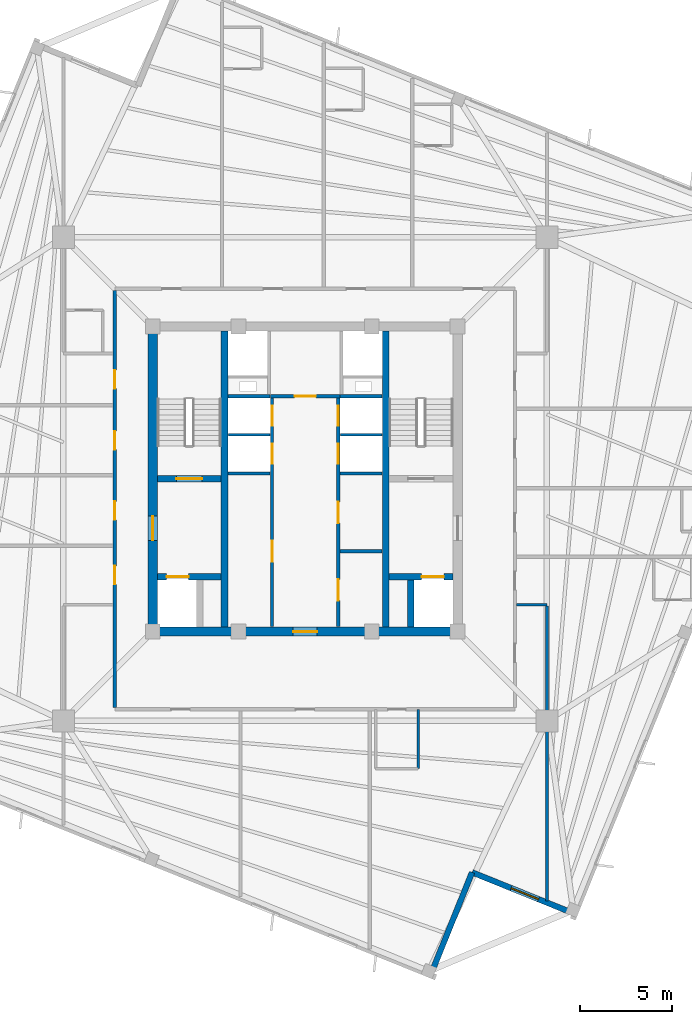
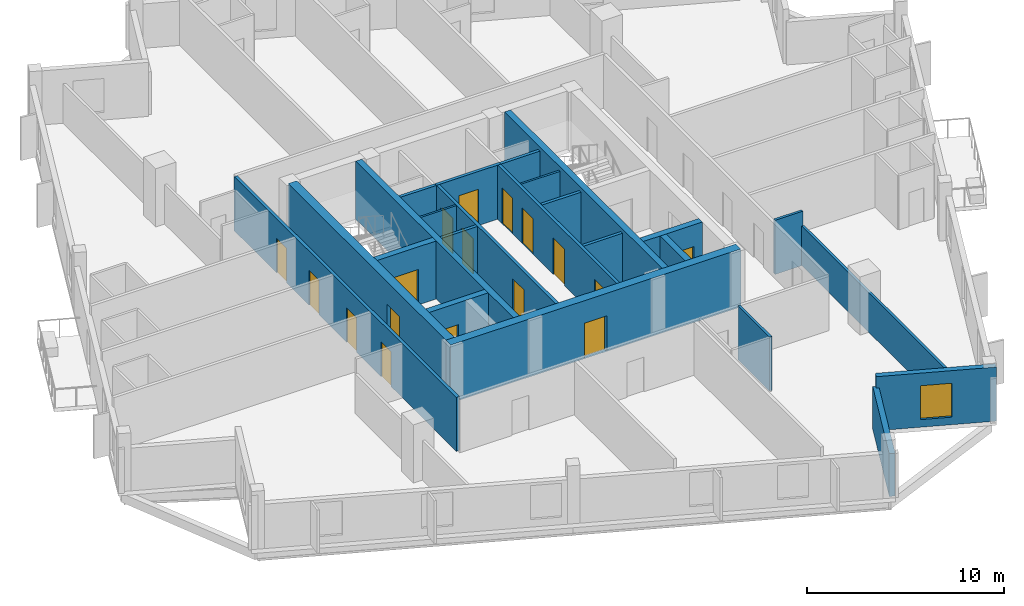
# One storey, part 3 of 9: 24 walls, 17 doors, 1 window, 18 openings.
"""IFC4 building model written with IfcOpenShell, lengths in metres."""

from ifc_helpers import new_model, si_unit, direction, frame, frame_2d, origin, place, context, subcontext, project, spatial, rectangle, extrude, source, transform, mapped, material, layer, layer_set, type_object, element, fill, save


model = new_model("IFC4")

# Units and contexts
model_context = context("Model", 3, precision=1e-05, world=origin(), true_north=direction((0.0, 1.0)))
body_context = subcontext(model_context, "Body", "Model", "MODEL_VIEW")
ifc_project = project(units=[si_unit("LENGTHUNIT", "METRE"), si_unit("AREAUNIT", "SQUARE_METRE"), si_unit("VOLUMEUNIT", "CUBIC_METRE"), si_unit("PLANEANGLEUNIT", "RADIAN"), si_unit("MASSUNIT", "GRAM", prefix="KILO"), si_unit("THERMODYNAMICTEMPERATUREUNIT", "KELVIN")], contexts=[model_context])

# Site, building, storey
site_placement = place(None, origin())
site = spatial("IfcSite", under=ifc_project, at=site_placement, CompositionType="ELEMENT")
building_placement = place(site_placement, origin())
building = spatial("IfcBuilding", under=site, at=building_placement, Name="Kosmvard Interchange Tower", CompositionType="ELEMENT")
storey_placement = place(building_placement, frame((0.0, 0.0, 301.199951171875)))
storey = spatial("IfcBuildingStorey", under=building, at=storey_placement, Name="L74", CompositionType="ELEMENT", Elevation=301.199951171875)

# Walls
ifc_material_1 = material(Name="Acoustic gypsum partition system")
ifc_layer_1 = layer(ifc_material_1, 0.14990234375, Name="Acoustic gypsum partition system")
ifc_layer_set_1 = layer_set([ifc_layer_1], Name="Acoustic gypsum partition system")
wall_type_1 = type_object("IfcWallType", Name="Acoustic Suite & Meeting Partition 150", PredefinedType="PARTITIONING", material=ifc_layer_set_1)
wall_1_placement = place(storey_placement, frame((11.445068359375, -6.800048828125, 0.0), z_axis=(0.0, 0.0, 1.0), x_axis=(1.0, 0.0, 0.0)))
element("IfcWall", 1, at=wall_1_placement, inside=storey, type_object=wall_type_1, Name="L74 Room Partition 16.1", PredefinedType="PARTITIONING", context=body_context, shape_type="SweptSolid", body=[
    extrude(rectangle(XDim=1.635986328125, YDim=0.14990234375, at=frame_2d((0.81787109375, 0.0))), origin(), (0.0, 0.0, 1.0), 3.35009765625),
])
wall_2_placement = place(storey_placement, frame((13.0810546875, -6.875, 0.0), z_axis=(0.0, 0.0, 1.0), x_axis=(0.0, -1.0, 0.0)))
element("IfcWall", 2, at=wall_2_placement, inside=storey, type_object=wall_type_1, Name="L74 Room Partition 17.1", PredefinedType="PARTITIONING", context=body_context, shape_type="SweptSolid", body=[
    extrude(rectangle(XDim=15.941650390625, YDim=0.14990234375, at=frame_2d((7.970703125, 0.0))), origin(), (0.0, 0.0, 1.0), 2.449951171875),
])

# Wall, openings, doors
ifc_material_2 = material(Name="Fire-rated gypsum partition system")
ifc_layer_2 = layer(ifc_material_2, 0.179931640625, Name="Fire-rated gypsum partition system")
ifc_layer_set_2 = layer_set([ifc_layer_2], Name="Fire-rated gypsum partition system")
wall_type_2 = type_object("IfcWallType", Name="Corridor & Hotel Compartment Partition 180", PredefinedType="PARTITIONING", material=ifc_layer_set_2)
wall_3_placement = place(storey_placement, frame((-1.7900390625, -7.97998046875, 0.0), z_axis=(0.0, 0.0, 1.0), x_axis=(0.0, 1.0, 0.0)))
wall_3 = element("IfcWall", 3, at=wall_3_placement, inside=storey, type_object=wall_type_2, Name="L74 West Lift Bank Front Wall", PredefinedType="PARTITIONING", context=body_context, shape_type="SweptSolid", body=[
    extrude(rectangle(XDim=12.3798828125, YDim=0.179931640625, at=frame_2d((6.18994140625, 0.0))), origin(), (0.0, 0.0, 1.0), 3.35009765625),
])
opening_1_placement = place(wall_3_placement, frame((8.800048828125, 0.0, 0.0)))
opening_1 = element("IfcOpeningElement", 4, at=opening_1_placement, cuts=wall_3, Name="Opening LD-PL-H1-L74", PredefinedType="OPENING", context=body_context, shape_type="SweptSolid", body=[
    extrude(rectangle(XDim=1.10009765625, YDim=2.199951171875, at=frame_2d((0.550048828125, 1.10009765625))), frame((0.0, 0.10009765625, 0.0), z_axis=(0.0, -1.0, 0.0), x_axis=(1.0, 0.0, 0.0)), (0.0, 0.0, 1.0), 0.199951171875),
])
opening_2_placement = place(wall_3_placement, frame((10.860107421875, 0.0, 0.0)))
opening_2 = element("IfcOpeningElement", 5, at=opening_2_placement, cuts=wall_3, Name="Opening LD-PL-H2-L74", PredefinedType="OPENING", context=body_context, shape_type="SweptSolid", body=[
    extrude(rectangle(XDim=1.10009765625, YDim=2.199951171875, at=frame_2d((0.550048828125, 1.10009765625))), frame((0.0, 0.10009765625, 0.0), z_axis=(0.0, -1.0, 0.0), x_axis=(1.0, 0.0, 0.0)), (0.0, 0.0, 1.0), 0.199951171875),
])
opening_3_placement = place(wall_3_placement, frame((3.5, 0.0, 0.0)))
opening_3 = element("IfcOpeningElement", 6, at=opening_3_placement, cuts=wall_3, Name="Opening L74-CD1", PredefinedType="OPENING", context=body_context, shape_type="SweptSolid", body=[
    extrude(rectangle(XDim=1.14990234375, YDim=2.25, at=frame_2d((0.574951171875, 1.125))), frame((0.0, 0.10009765625, 0.0), z_axis=(0.0, -1.0, 0.0), x_axis=(1.0, 0.0, 0.0)), (0.0, 0.0, 1.0), 0.199951171875),
])
ifc_material_3 = material(Name="Painted fire-rated steel leaf", Category="steel")
door_type_1 = type_object("IfcDoorType", Name="Plant & Riser Fire Door 1150x2250 EI60", OperationType="NOTDEFINED", PredefinedType="DOOR", material=ifc_material_3)
shared_shape_1 = source(origin(), body_context, "Body", "SweptSolid", [
    extrude(rectangle(XDim=1.14990234375, YDim=2.25, at=frame_2d((0.574951171875, 1.125))), frame((0.0, 0.02490234375, 0.0), z_axis=(0.0, -1.0, 0.0), x_axis=(1.0, 0.0, 0.0)), (0.0, 0.0, 1.0), 0.050048828125),
])
door_1_placement = place(opening_3_placement, origin())
door_1 = element("IfcDoor", 7, at=door_1_placement, inside=storey, type_object=door_type_1, Name="L74 Core West Store Door", OperationType="SINGLE_SWING_LEFT", OverallHeight=2.25, OverallWidth=1.14990234375, PredefinedType="DOOR", context=body_context, shape_type="MappedRepresentation", body=[
    mapped(shared_shape_1, transform((0.0, 0.0, 0.0), scale=1.0)),
])
fill(opening_3, door_1)
ifc_material_4 = material(Name="Brushed stainless steel sliding leaf", Category="steel")
door_type_2 = type_object("IfcDoorType", Name="Passenger Lift Sliding Landing Door 1100x2200 EI60", OperationType="DOUBLE_DOOR_SLIDING", PredefinedType="DOOR", material=ifc_material_4)
shared_shape_2 = source(origin(), body_context, "Body", "SweptSolid", [
    extrude(rectangle(XDim=1.10009765625, YDim=2.199951171875, at=frame_2d((0.550048828125, 1.10009765625))), frame((0.0, 0.02490234375, 0.0), z_axis=(0.0, -1.0, 0.0), x_axis=(1.0, 0.0, 0.0)), (0.0, 0.0, 1.0), 0.050048828125),
])
door_2_placement = place(opening_1_placement, frame((1.10009765625, 0.0, 0.0), z_axis=(0.0, 0.0, 1.0), x_axis=(-1.0, 0.0, 0.0)))
door_2 = element("IfcDoor", 8, at=door_2_placement, inside=storey, type_object=door_type_2, Name="Lift PL-H1 Landing Door L74", OperationType="DOUBLE_DOOR_SLIDING", OverallHeight=2.199951171875, OverallWidth=1.10009765625, PredefinedType="DOOR", context=body_context, shape_type="MappedRepresentation", body=[
    mapped(shared_shape_2, transform((0.0, 0.0, 0.0), scale=1.0)),
])
fill(opening_1, door_2)
door_3_placement = place(opening_2_placement, frame((1.10009765625, 0.0, 0.0), z_axis=(0.0, 0.0, 1.0), x_axis=(-1.0, 0.0, 0.0)))
door_3 = element("IfcDoor", 9, at=door_3_placement, inside=storey, type_object=door_type_2, Name="Lift PL-H2 Landing Door L74", OperationType="DOUBLE_DOOR_SLIDING", OverallHeight=2.199951171875, OverallWidth=1.10009765625, PredefinedType="DOOR", context=body_context, shape_type="MappedRepresentation", body=[
    mapped(shared_shape_2, transform((0.0, 0.0, 0.0), scale=1.0)),
])
fill(opening_2, door_3)

wall_4_placement = place(storey_placement, frame((1.7900390625, -7.97998046875, 0.0), z_axis=(0.0, 0.0, 1.0), x_axis=(0.0, 1.0, 0.0)))
wall_4 = element("IfcWall", 10, at=wall_4_placement, inside=storey, type_object=wall_type_2, Name="L74 East Lift Bank Front Wall", PredefinedType="PARTITIONING", context=body_context, shape_type="SweptSolid", body=[
    extrude(rectangle(XDim=12.3798828125, YDim=0.179931640625, at=frame_2d((6.18994140625, 0.0))), origin(), (0.0, 0.0, 1.0), 3.35009765625),
])
opening_4_placement = place(wall_4_placement, frame((8.800048828125, 0.0, 0.0)))
opening_4 = element("IfcOpeningElement", 11, at=opening_4_placement, cuts=wall_4, Name="Opening LD-PL-H3-L74", PredefinedType="OPENING", context=body_context, shape_type="SweptSolid", body=[
    extrude(rectangle(XDim=1.10009765625, YDim=2.199951171875, at=frame_2d((0.550048828125, 1.10009765625))), frame((0.0, 0.10009765625, 0.0), z_axis=(0.0, -1.0, 0.0), x_axis=(1.0, 0.0, 0.0)), (0.0, 0.0, 1.0), 0.199951171875),
])
opening_5_placement = place(wall_4_placement, frame((10.860107421875, 0.0, 0.0)))
opening_5 = element("IfcOpeningElement", 12, at=opening_5_placement, cuts=wall_4, Name="Opening LD-PL-H4-L74", PredefinedType="OPENING", context=body_context, shape_type="SweptSolid", body=[
    extrude(rectangle(XDim=1.10009765625, YDim=2.199951171875, at=frame_2d((0.550048828125, 1.10009765625))), frame((0.0, 0.10009765625, 0.0), z_axis=(0.0, -1.0, 0.0), x_axis=(1.0, 0.0, 0.0)), (0.0, 0.0, 1.0), 0.199951171875),
])
opening_6_placement = place(wall_4_placement, frame((1.39990234375, 0.0, 0.0)))
opening_6 = element("IfcOpeningElement", 13, at=opening_6_placement, cuts=wall_4, Name="Opening L74-CD2", PredefinedType="OPENING", context=body_context, shape_type="SweptSolid", body=[
    extrude(rectangle(XDim=1.14990234375, YDim=2.25, at=frame_2d((0.574951171875, 1.125))), frame((0.0, 0.10009765625, 0.0), z_axis=(0.0, -1.0, 0.0), x_axis=(1.0, 0.0, 0.0)), (0.0, 0.0, 1.0), 0.199951171875),
])
opening_7_placement = place(wall_4_placement, frame((5.60009765625, 0.0, 0.0)))
opening_7 = element("IfcOpeningElement", 14, at=opening_7_placement, cuts=wall_4, Name="Opening L74-CD3", PredefinedType="OPENING", context=body_context, shape_type="SweptSolid", body=[
    extrude(rectangle(XDim=1.14990234375, YDim=2.25, at=frame_2d((0.574951171875, 1.125))), frame((0.0, 0.10009765625, 0.0), z_axis=(0.0, -1.0, 0.0), x_axis=(1.0, 0.0, 0.0)), (0.0, 0.0, 1.0), 0.199951171875),
])
door_4_placement = place(opening_6_placement, frame((1.14990234375, 0.0, 0.0), z_axis=(0.0, 0.0, 1.0), x_axis=(-1.0, 0.0, 0.0)))
door_4 = element("IfcDoor", 15, at=door_4_placement, inside=storey, type_object=door_type_1, Name="L74 Core Tea Pantry Door", OperationType="SINGLE_SWING_LEFT", OverallHeight=2.25, OverallWidth=1.14990234375, PredefinedType="DOOR", context=body_context, shape_type="MappedRepresentation", body=[
    mapped(shared_shape_1, transform((0.0, 0.0, 0.0), scale=1.0)),
])
fill(opening_6, door_4)
door_5_placement = place(opening_7_placement, frame((1.14990234375, 0.0, 0.0), z_axis=(0.0, 0.0, 1.0), x_axis=(-1.0, 0.0, 0.0)))
door_5 = element("IfcDoor", 16, at=door_5_placement, inside=storey, type_object=door_type_1, Name="L74 Mid Core Pantry Door", OperationType="SINGLE_SWING_RIGHT", OverallHeight=2.25, OverallWidth=1.14990234375, PredefinedType="DOOR", context=body_context, shape_type="MappedRepresentation", body=[
    mapped(shared_shape_1, transform((0.0, 0.0, 0.0), scale=1.0)),
])
fill(opening_7, door_5)
door_6_placement = place(opening_4_placement, origin())
door_6 = element("IfcDoor", 17, at=door_6_placement, inside=storey, type_object=door_type_2, Name="Lift PL-H3 Landing Door L74", OperationType="DOUBLE_DOOR_SLIDING", OverallHeight=2.199951171875, OverallWidth=1.10009765625, PredefinedType="DOOR", context=body_context, shape_type="MappedRepresentation", body=[
    mapped(shared_shape_2, transform((0.0, 0.0, 0.0), scale=1.0)),
])
fill(opening_4, door_6)
door_7_placement = place(opening_5_placement, origin())
door_7 = element("IfcDoor", 18, at=door_7_placement, inside=storey, type_object=door_type_2, Name="Lift PL-H4 Landing Door L74", OperationType="DOUBLE_DOOR_SLIDING", OverallHeight=2.199951171875, OverallWidth=1.10009765625, PredefinedType="DOOR", context=body_context, shape_type="MappedRepresentation", body=[
    mapped(shared_shape_2, transform((0.0, 0.0, 0.0), scale=1.0)),
])
fill(opening_5, door_7)

# Wall, opening, door
wall_5_placement = place(storey_placement, frame((-1.8798828125, 4.489990234375, 0.0), z_axis=(0.0, 0.0, 1.0), x_axis=(1.0, 0.0, 0.0)))
wall_5 = element("IfcWall", 19, at=wall_5_placement, inside=storey, type_object=wall_type_2, Name="L74 Lift Lobby North Partition", PredefinedType="PARTITIONING", context=body_context, shape_type="SweptSolid", body=[
    extrude(rectangle(XDim=3.759765625, YDim=0.179931640625, at=frame_2d((1.8798828125, 0.0))), origin(), (0.0, 0.0, 1.0), 3.35009765625),
])
opening_8_placement = place(wall_5_placement, frame((1.304931640625, 0.0, 0.0)))
opening_8 = element("IfcOpeningElement", 20, at=opening_8_placement, cuts=wall_5, Name="Opening L74-KD1", PredefinedType="OPENING", context=body_context, shape_type="SweptSolid", body=[
    extrude(rectangle(XDim=1.14990234375, YDim=2.25, at=frame_2d((0.574951171875, 1.125))), frame((0.0, 0.10009765625, 0.0), z_axis=(0.0, -1.0, 0.0), x_axis=(1.0, 0.0, 0.0)), (0.0, 0.0, 1.0), 0.199951171875),
])
door_8_placement = place(opening_8_placement, origin())
door_8 = element("IfcDoor", 21, at=door_8_placement, inside=storey, type_object=door_type_1, Name="L74 Core IT Room Door", OperationType="SINGLE_SWING_LEFT", OverallHeight=2.25, OverallWidth=1.14990234375, PredefinedType="DOOR", context=body_context, shape_type="MappedRepresentation", body=[
    mapped(shared_shape_1, transform((0.0, 0.0, 0.0), scale=1.0)),
])
fill(opening_8, door_8)

# Wall, openings, doors
wall_6_placement = place(storey_placement, frame((-10.300048828125, -12.35009765625, 0.0), z_axis=(0.0, 0.0, 1.0), x_axis=(0.0, 1.0, 0.0)))
wall_6 = element("IfcWall", 22, at=wall_6_placement, inside=storey, type_object=wall_type_2, Name="L74 Corridor Wall CW", PredefinedType="PARTITIONING", context=body_context, shape_type="SweptSolid", body=[
    extrude(rectangle(XDim=22.550048828125, YDim=0.179931640625, at=frame_2d((11.27490234375, 0.0))), origin(), (0.0, 0.0, 1.0), 3.35009765625),
])
opening_9_placement = place(wall_6_placement, frame((13.949951171875, 0.0, 0.0)))
opening_9 = element("IfcOpeningElement", 23, at=opening_9_placement, cuts=wall_6, Name="Opening L74-D02", PredefinedType="OPENING", context=body_context, shape_type="SweptSolid", body=[
    extrude(rectangle(XDim=1.0, YDim=2.14990234375, at=frame_2d((0.5, 1.074951171875))), frame((0.0, 0.10009765625, 0.0), z_axis=(0.0, -1.0, 0.0), x_axis=(1.0, 0.0, 0.0)), (0.0, 0.0, 1.0), 0.199951171875),
])
opening_10_placement = place(wall_6_placement, frame((17.25, 0.0, 0.0)))
opening_10 = element("IfcOpeningElement", 24, at=opening_10_placement, cuts=wall_6, Name="Opening L74-D04", PredefinedType="OPENING", context=body_context, shape_type="SweptSolid", body=[
    extrude(rectangle(XDim=1.0, YDim=2.14990234375, at=frame_2d((0.5, 1.074951171875))), frame((0.0, 0.10009765625, 0.0), z_axis=(0.0, -1.0, 0.0), x_axis=(1.0, 0.0, 0.0)), (0.0, 0.0, 1.0), 0.199951171875),
])
opening_11_placement = place(wall_6_placement, frame((6.64990234375, 0.0, 0.0)))
opening_11 = element("IfcOpeningElement", 25, at=opening_11_placement, cuts=wall_6, Name="Opening L74-D25", PredefinedType="OPENING", context=body_context, shape_type="SweptSolid", body=[
    extrude(rectangle(XDim=1.0, YDim=2.14990234375, at=frame_2d((0.5, 1.074951171875))), frame((0.0, 0.10009765625, 0.0), z_axis=(0.0, -1.0, 0.0), x_axis=(1.0, 0.0, 0.0)), (0.0, 0.0, 1.0), 0.199951171875),
])
opening_12_placement = place(wall_6_placement, frame((10.14990234375, 0.0, 0.0)))
opening_12 = element("IfcOpeningElement", 26, at=opening_12_placement, cuts=wall_6, Name="Opening L74-D26", PredefinedType="OPENING", context=body_context, shape_type="SweptSolid", body=[
    extrude(rectangle(XDim=1.0, YDim=2.14990234375, at=frame_2d((0.5, 1.074951171875))), frame((0.0, 0.10009765625, 0.0), z_axis=(0.0, -1.0, 0.0), x_axis=(1.0, 0.0, 0.0)), (0.0, 0.0, 1.0), 0.199951171875),
])
ifc_material_5 = material(Name="Engineered oak fire-rated timber", Category="wood")
door_type_3 = type_object("IfcDoorType", Name="Hotel Guestroom Entrance Door 1000x2150 EI60", OperationType="NOTDEFINED", PredefinedType="DOOR", material=ifc_material_5)
shared_shape_3 = source(origin(), body_context, "Body", "SweptSolid", [
    extrude(rectangle(XDim=1.0, YDim=2.14990234375, at=frame_2d((0.5, 1.074951171875))), frame((0.0, 0.02490234375, 0.0), z_axis=(0.0, -1.0, 0.0), x_axis=(1.0, 0.0, 0.0)), (0.0, 0.0, 1.0), 0.050048828125),
])
door_9_placement = place(opening_9_placement, origin())
door_9 = element("IfcDoor", 27, at=door_9_placement, inside=storey, type_object=door_type_3, Name="L74 Hotel Deluxe Guest Room 1 Door", OperationType="SINGLE_SWING_RIGHT", OverallHeight=2.14990234375, OverallWidth=1.0, PredefinedType="DOOR", context=body_context, shape_type="MappedRepresentation", body=[
    mapped(shared_shape_3, transform((0.0, 0.0, 0.0), scale=1.0)),
])
fill(opening_9, door_9)
door_10_placement = place(opening_10_placement, origin())
door_10 = element("IfcDoor", 28, at=door_10_placement, inside=storey, type_object=door_type_3, Name="L74 Hotel Deluxe Junior Suite 2 Door", OperationType="SINGLE_SWING_RIGHT", OverallHeight=2.14990234375, OverallWidth=1.0, PredefinedType="DOOR", context=body_context, shape_type="MappedRepresentation", body=[
    mapped(shared_shape_3, transform((0.0, 0.0, 0.0), scale=1.0)),
])
fill(opening_10, door_10)
door_11_placement = place(opening_11_placement, origin())
door_11 = element("IfcDoor", 29, at=door_11_placement, inside=storey, type_object=door_type_3, Name="L74 Hotel Refreshment Pantry Door", OperationType="SINGLE_SWING_LEFT", OverallHeight=2.14990234375, OverallWidth=1.0, PredefinedType="DOOR", context=body_context, shape_type="MappedRepresentation", body=[
    mapped(shared_shape_3, transform((0.0, 0.0, 0.0), scale=1.0)),
])
fill(opening_11, door_11)
door_12_placement = place(opening_12_placement, origin())
door_12 = element("IfcDoor", 30, at=door_12_placement, inside=storey, type_object=door_type_3, Name="L74 Hotel Corner Suite 4 Door", OperationType="SINGLE_SWING_RIGHT", OverallHeight=2.14990234375, OverallWidth=1.0, PredefinedType="DOOR", context=body_context, shape_type="MappedRepresentation", body=[
    mapped(shared_shape_3, transform((0.0, 0.0, 0.0), scale=1.0)),
])
fill(opening_12, door_12)

# Walls
ifc_material_6 = material(Name="Concrete blockwork masonry", Category="masonry")
ifc_layer_3 = layer(ifc_material_6, 0.179931640625, Name="Concrete blockwork masonry")
ifc_layer_set_3 = layer_set([ifc_layer_3], Name="Concrete blockwork masonry")
wall_type_3 = type_object("IfcWallType", Name="Riser & Lift Bank Divider Wall 180", PredefinedType="PARTITIONING", material=ifc_layer_set_3)
for number, where, z_axis, x_axis, name in (
    (31, (1.889892578125, -3.89990234375, 0.0), (0.0, 0.0, 1.0), (1.0, 0.0, 0.0), "L74 East Bank Divider BD1"),
    (32, (-4.169921875, 0.300048828125, 0.0), (0.0, 0.0, 1.0), (1.0, 0.0, 0.0), "L74 West Bank Divider BD2"),
    (33, (1.889892578125, 0.300048828125, 0.0), (0.0, 0.0, 1.0), (1.0, 0.0, 0.0), "L74 East Bank Divider BD2"),
    (34, (-4.169921875, 4.489990234375, 0.0), (0.0, 0.0, 1.0), (1.0, 0.0, 0.0), "L74 West Bank Divider BD3"),
    (35, (1.889892578125, 4.489990234375, 0.0), (0.0, 0.0, 1.0), (1.0, 0.0, 0.0), "L74 East Bank Divider BD3"),
):
    element("IfcWall", number, at=place(storey_placement, frame(where, z_axis=z_axis, x_axis=x_axis)), inside=storey, type_object=wall_type_3, Name=name, PredefinedType="PARTITIONING", context=body_context, shape_type="SweptSolid", body=[
        extrude(rectangle(XDim=2.280029296875, YDim=0.179931640625, at=frame_2d((1.14013671875, 0.0))), origin(), (0.0, 0.0, 1.0), 3.35009765625),
    ])
ifc_material_7 = material(Name="Fire-rated gypsum shaftwall system")
ifc_layer_4 = layer(ifc_material_7, 0.1201171875, Name="Fire-rated gypsum shaftwall system")
ifc_layer_set_4 = layer_set([ifc_layer_4], Name="Fire-rated gypsum shaftwall system")
wall_type_4 = type_object("IfcWallType", Name="Shaft & Riser Fire Partition 120 EI60", PredefinedType="PARTITIONING", material=ifc_layer_set_4)
for number, where, z_axis, x_axis, name in (
    (36, (-4.159912109375, 2.39990234375, 0.0), (0.0, 0.0, 1.0), (1.0, 0.0, 0.0), "L74 Shaft Divider PL-H1"),
    (37, (1.89990234375, 2.39990234375, 0.0), (0.0, 0.0, 1.0), (1.0, 0.0, 0.0), "L74 Shaft Divider PL-H3"),
):
    element("IfcWall", number, at=place(storey_placement, frame(where, z_axis=z_axis, x_axis=x_axis)), inside=storey, type_object=wall_type_4, Name=name, PredefinedType="PARTITIONING", context=body_context, shape_type="SweptSolid", body=[
        extrude(rectangle(XDim=2.260009765625, YDim=0.1201171875, at=frame_2d((1.1298828125, 0.0))), origin(), (0.0, 0.0, 1.0), 3.35009765625),
    ])
ifc_material_8 = material(Name="Concrete C60/75", Category="concrete")
ifc_layer_5 = layer(ifc_material_8, 0.360107421875, Name="Concrete C60/75")
ifc_layer_set_5 = layer_set([ifc_layer_5], Name="Concrete C60/75")
wall_type_5 = type_object("IfcWallType", Name="Stair & Lift Shaft Shear Wall 360 C60/75", PredefinedType="SHEAR", material=ifc_layer_set_5)
for number, where, z_axis, x_axis, name in (
    (38, (-4.360107421875, -8.0, 0.0), (0.0, 0.0, 1.0), (0.0, 1.0, 0.0), "L74 Shaft Shear Wall SW-W"),
    (39, (4.360107421875, -8.0, 0.0), (0.0, 0.0, 1.0), (0.0, 1.0, 0.0), "L74 Shaft Shear Wall SW-E"),
):
    element("IfcWall", number, at=place(storey_placement, frame(where, z_axis=z_axis, x_axis=x_axis)), inside=storey, type_object=wall_type_5, Name=name, PredefinedType="SHEAR", context=body_context, shape_type="SweptSolid", body=[
        extrude(rectangle(XDim=16.0, YDim=0.360107421875, at=frame_2d((8.0, 0.0))), origin(), (0.0, 0.0, 1.0), 3.60009765625),
    ])

# Wall, opening, door
wall_7_placement = place(storey_placement, frame((-8.0, 0.02001953125, 0.0), z_axis=(0.0, 0.0, 1.0), x_axis=(1.0, 0.0, 0.0)))
wall_7 = element("IfcWall", 40, at=wall_7_placement, inside=storey, type_object=wall_type_5, Name="L74 Shaft Shear Wall SW-ST1", PredefinedType="SHEAR", context=body_context, shape_type="SweptSolid", body=[
    extrude(rectangle(XDim=3.4599609375, YDim=0.360107421875, at=frame_2d((1.72998046875, 0.0))), origin(), (0.0, 0.0, 1.0), 3.60009765625),
])
opening_13_placement = place(wall_7_placement, frame((1.030029296875, 0.0, 0.0)))
opening_13 = element("IfcOpeningElement", 41, at=opening_13_placement, cuts=wall_7, Name="Opening L74-SD1", PredefinedType="OPENING", context=body_context, shape_type="SweptSolid", body=[
    extrude(rectangle(XDim=1.39990234375, YDim=2.199951171875, at=frame_2d((0.699951171875, 1.10009765625))), frame((0.0, 0.18994140625, 0.0), z_axis=(0.0, -1.0, 0.0), x_axis=(1.0, 0.0, 0.0)), (0.0, 0.0, 1.0), 0.380126953125),
])
door_type_4 = type_object("IfcDoorType", Name="Protected Stair Door 1400x2200 FD60S", OperationType="NOTDEFINED", PredefinedType="DOOR", material=ifc_material_3)
shared_shape_4 = source(origin(), body_context, "Body", "SweptSolid", [
    extrude(rectangle(XDim=1.39990234375, YDim=2.199951171875, at=frame_2d((0.699951171875, 1.10009765625))), frame((0.0, 0.02490234375, 0.0), z_axis=(0.0, -1.0, 0.0), x_axis=(1.0, 0.0, 0.0)), (0.0, 0.0, 1.0), 0.050048828125),
])
door_13_placement = place(opening_13_placement, origin())
door_13 = element("IfcDoor", 42, at=door_13_placement, inside=storey, type_object=door_type_4, Name="L74 Stair ST-1 Enclosure Door", OperationType="SINGLE_SWING_LEFT", OverallHeight=2.199951171875, OverallWidth=1.39990234375, PredefinedType="DOOR", context=body_context, shape_type="MappedRepresentation", body=[
    mapped(shared_shape_4, transform((0.0, 0.0, 0.0), scale=1.0)),
])
fill(opening_13, door_13)

wall_8_placement = place(storey_placement, frame((-8.0, -5.280029296875, 0.0), z_axis=(0.0, 0.0, 1.0), x_axis=(1.0, 0.0, 0.0)))
wall_8 = element("IfcWall", 43, at=wall_8_placement, inside=storey, type_object=wall_type_5, Name="L74 Shaft Shear Wall SW-FF1", PredefinedType="SHEAR", context=body_context, shape_type="SweptSolid", body=[
    extrude(rectangle(XDim=3.4599609375, YDim=0.360107421875, at=frame_2d((1.72998046875, 0.0))), origin(), (0.0, 0.0, 1.0), 3.60009765625),
])
opening_14_placement = place(wall_8_placement, frame((0.5, 0.0, 0.0)))
opening_14 = element("IfcOpeningElement", 44, at=opening_14_placement, cuts=wall_8, Name="Opening LD-FF-1-L74", PredefinedType="OPENING", context=body_context, shape_type="SweptSolid", body=[
    extrude(rectangle(XDim=1.199951171875, YDim=2.25, at=frame_2d((0.60009765625, 1.125))), frame((0.0, 0.18994140625, 0.0), z_axis=(0.0, -1.0, 0.0), x_axis=(1.0, 0.0, 0.0)), (0.0, 0.0, 1.0), 0.380126953125),
])
door_type_5 = type_object("IfcDoorType", Name="Firefighting Lift Sliding Landing Door 1200x2250 EI120", OperationType="DOUBLE_DOOR_SLIDING", PredefinedType="DOOR", material=ifc_material_4)
shared_shape_5 = source(origin(), body_context, "Body", "SweptSolid", [
    extrude(rectangle(XDim=1.199951171875, YDim=2.25, at=frame_2d((0.60009765625, 1.125))), frame((0.0, 0.02490234375, 0.0), z_axis=(0.0, -1.0, 0.0), x_axis=(1.0, 0.0, 0.0)), (0.0, 0.0, 1.0), 0.050048828125),
])
door_14_placement = place(opening_14_placement, origin())
door_14 = element("IfcDoor", 45, at=door_14_placement, inside=storey, type_object=door_type_5, Name="Lift FF-1 Landing Door L74", OperationType="DOUBLE_DOOR_SLIDING", OverallHeight=2.25, OverallWidth=1.199951171875, PredefinedType="DOOR", context=body_context, shape_type="MappedRepresentation", body=[
    mapped(shared_shape_5, transform((0.0, 0.0, 0.0), scale=1.0)),
])
fill(opening_14, door_14)

wall_9_placement = place(storey_placement, frame((4.5400390625, -5.280029296875, 0.0), z_axis=(0.0, 0.0, 1.0), x_axis=(1.0, 0.0, 0.0)))
wall_9 = element("IfcWall", 46, at=wall_9_placement, inside=storey, type_object=wall_type_5, Name="L74 Shaft Shear Wall SW-FF2", PredefinedType="SHEAR", context=body_context, shape_type="SweptSolid", body=[
    extrude(rectangle(XDim=3.4599609375, YDim=0.360107421875, at=frame_2d((1.72998046875, 0.0))), origin(), (0.0, 0.0, 1.0), 3.60009765625),
])
opening_15_placement = place(wall_9_placement, frame((1.760009765625, 0.0, 0.0)))
opening_15 = element("IfcOpeningElement", 47, at=opening_15_placement, cuts=wall_9, Name="Opening LD-FF-2-L74", PredefinedType="OPENING", context=body_context, shape_type="SweptSolid", body=[
    extrude(rectangle(XDim=1.199951171875, YDim=2.25, at=frame_2d((0.60009765625, 1.125))), frame((0.0, 0.18994140625, 0.0), z_axis=(0.0, -1.0, 0.0), x_axis=(1.0, 0.0, 0.0)), (0.0, 0.0, 1.0), 0.380126953125),
])
door_15_placement = place(opening_15_placement, origin())
door_15 = element("IfcDoor", 48, at=door_15_placement, inside=storey, type_object=door_type_5, Name="Lift FF-2 Landing Door L74", OperationType="DOUBLE_DOOR_SLIDING", OverallHeight=2.25, OverallWidth=1.199951171875, PredefinedType="DOOR", context=body_context, shape_type="MappedRepresentation", body=[
    mapped(shared_shape_5, transform((0.0, 0.0, 0.0), scale=1.0)),
])
fill(opening_15, door_15)

# Wall
wall_10_placement = place(storey_placement, frame((5.7099609375, -8.0, 0.0), z_axis=(0.0, 0.0, 1.0), x_axis=(0.0, 1.0, 0.0)))
element("IfcWall", 49, at=wall_10_placement, inside=storey, type_object=wall_type_5, Name="L74 Shaft Shear Wall SW-SM2", PredefinedType="SHEAR", context=body_context, shape_type="SweptSolid", body=[
    extrude(rectangle(XDim=2.5400390625, YDim=0.360107421875, at=frame_2d((1.27001953125, 0.0))), origin(), (0.0, 0.0, 1.0), 3.60009765625),
])

# Wall, opening, door
ifc_layer_6 = layer(ifc_material_8, 0.5, Name="Concrete C60/75")
ifc_layer_set_6 = layer_set([ifc_layer_6], Name="Concrete C60/75")
wall_type_6 = type_object("IfcWallType", Name="Upper Core Shear Wall 500 C60/75", PredefinedType="SHEAR", material=ifc_layer_set_6)
wall_11_placement = place(storey_placement, frame((-8.5, -8.25, 0.0), z_axis=(0.0, 0.0, 1.0), x_axis=(1.0, 0.0, 0.0)))
wall_11 = element("IfcWall", 50, at=wall_11_placement, inside=storey, type_object=wall_type_6, Name="L74 Core Shear Wall CW-S", PredefinedType="SHEAR", context=body_context, shape_type="SweptSolid", body=[
    extrude(rectangle(XDim=17.0, YDim=0.5, at=frame_2d((8.5, 0.0))), origin(), (0.0, 0.0, 1.0), 3.60009765625),
])
opening_16_placement = place(wall_11_placement, frame((7.85009765625, 0.0, 0.0)))
opening_16 = element("IfcOpeningElement", 51, at=opening_16_placement, cuts=wall_11, Name="Opening L74-LD0", PredefinedType="OPENING", context=body_context, shape_type="SweptSolid", body=[
    extrude(rectangle(XDim=1.300048828125, YDim=2.199951171875, at=frame_2d((0.64990234375, 1.10009765625))), frame((0.0, 0.260009765625, 0.0), z_axis=(0.0, -1.0, 0.0), x_axis=(1.0, 0.0, 0.0)), (0.0, 0.0, 1.0), 0.52001953125),
])
door_type_6 = type_object("IfcDoorType", Name="Firefighting Lobby Door 1300x2200 EI60", OperationType="NOTDEFINED", PredefinedType="DOOR", material=ifc_material_3)
shared_shape_6 = source(origin(), body_context, "Body", "SweptSolid", [
    extrude(rectangle(XDim=1.300048828125, YDim=2.199951171875, at=frame_2d((0.64990234375, 1.10009765625))), frame((0.0, 0.02490234375, 0.0), z_axis=(0.0, -1.0, 0.0), x_axis=(1.0, 0.0, 0.0)), (0.0, 0.0, 1.0), 0.050048828125),
])
door_16_placement = place(opening_16_placement, frame((1.300048828125, 0.0, 0.0), z_axis=(0.0, 0.0, 1.0), x_axis=(-1.0, 0.0, 0.0)))
door_16 = element("IfcDoor", 52, at=door_16_placement, inside=storey, type_object=door_type_6, Name="L74 Passenger Lift Lobby South Door", OperationType="SINGLE_SWING_RIGHT", OverallHeight=2.199951171875, OverallWidth=1.300048828125, PredefinedType="DOOR", context=body_context, shape_type="MappedRepresentation", body=[
    mapped(shared_shape_6, transform((0.0, 0.0, 0.0), scale=1.0)),
])
fill(opening_16, door_16)

wall_12_placement = place(storey_placement, frame((-8.25, -8.0, 0.0), z_axis=(0.0, 0.0, 1.0), x_axis=(0.0, 1.0, 0.0)))
wall_12 = element("IfcWall", 53, at=wall_12_placement, inside=storey, type_object=wall_type_6, Name="L74 Core Shear Wall CW-W", PredefinedType="SHEAR", context=body_context, shape_type="SweptSolid", body=[
    extrude(rectangle(XDim=16.0, YDim=0.5, at=frame_2d((8.0, 0.0))), origin(), (0.0, 0.0, 1.0), 3.60009765625),
])
opening_17_placement = place(wall_12_placement, frame((4.68994140625, 0.0, 0.0)))
opening_17 = element("IfcOpeningElement", 54, at=opening_17_placement, cuts=wall_12, Name="Opening L74-FD1", PredefinedType="OPENING", context=body_context, shape_type="SweptSolid", body=[
    extrude(rectangle(XDim=1.300048828125, YDim=2.199951171875, at=frame_2d((0.64990234375, 1.10009765625))), frame((0.0, 0.260009765625, 0.0), z_axis=(0.0, -1.0, 0.0), x_axis=(1.0, 0.0, 0.0)), (0.0, 0.0, 1.0), 0.52001953125),
])
door_17_placement = place(opening_17_placement, frame((1.300048828125, 0.0, 0.0), z_axis=(0.0, 0.0, 1.0), x_axis=(-1.0, 0.0, 0.0)))
door_17 = element("IfcDoor", 55, at=door_17_placement, inside=storey, type_object=door_type_6, Name="L74 Firefighting Lobby West Door", OperationType="SINGLE_SWING_LEFT", OverallHeight=2.199951171875, OverallWidth=1.300048828125, PredefinedType="DOOR", context=body_context, shape_type="MappedRepresentation", body=[
    mapped(shared_shape_6, transform((0.0, 0.0, 0.0), scale=1.0)),
])
fill(opening_17, door_17)

# Wall
ifc_material_9 = material(Name="Precast concrete C45/55", Category="concrete")
ifc_layer_7 = layer(ifc_material_9, 0.31005859375, Name="Precast concrete C45/55")
ifc_layer_set_7 = layer_set([ifc_layer_7], Name="Precast concrete C45/55")
wall_type_7 = type_object("IfcWallType", Name="Upper Tower Precast Pier Wall 310 C45/55", PredefinedType="STANDARD", material=ifc_layer_set_7)
wall_13_placement = place(storey_placement, frame((6.7841796875, -26.8408203125, 0.0), z_axis=(0.0, 0.0, 1.0), x_axis=(0.374636620962, 0.927171722085, 0.0)))
element("IfcWall", 56, at=wall_13_placement, inside=storey, type_object=wall_type_7, Name="L74 Precast Facade Wall N-SW1", PredefinedType="STANDARD", context=body_context, shape_type="SweptSolid", body=[
    extrude(rectangle(XDim=6.0, YDim=0.31005859375, at=frame_2d((3.0, 0.0))), origin(), (0.0, 0.0, 1.0), 2.650146484375),
])

# Wall, opening, window
wall_14_placement = place(storey_placement, frame((9.031982421875, -21.27783203125, 0.0), z_axis=(0.0, 0.0, 1.0), x_axis=(0.927185411764, -0.374602739196, 0.0)))
wall_14 = element("IfcWall", 57, at=wall_14_placement, inside=storey, type_object=wall_type_7, Name="L74 Precast Facade Wall N-SW2", PredefinedType="STANDARD", context=body_context, shape_type="SweptSolid", body=[
    extrude(rectangle(XDim=6.155029296875, YDim=0.31005859375, at=frame_2d((3.07763671875, 0.0))), origin(), (0.0, 0.0, 1.0), 3.35009765625),
])
opening_18_placement = place(wall_14_placement, frame((2.277587890625, 0.0, 0.469970703125)))
opening_18 = element("IfcOpeningElement", 58, at=opening_18_placement, cuts=wall_14, Name="Opening L74-W22", PredefinedType="OPENING", context=body_context, shape_type="SweptSolid", body=[
    extrude(rectangle(XDim=1.60009765625, YDim=2.10009765625, at=frame_2d((0.800048828125, 1.050048828125))), frame((0.0, 0.1650390625, 0.0), z_axis=(0.0, -1.0, 0.0), x_axis=(1.0, 0.0, 0.0)), (0.0, 0.0, 1.0), 0.330078125),
])
ifc_material_10 = material(Name="Low-E acoustic double glazing", Category="glass")
window_type = type_object("IfcWindowType", Name="Zone 5 Hotel Punched Window 1600x2100", PartitioningType="SINGLE_PANEL", PredefinedType="WINDOW", material=ifc_material_10)
shared_shape_7 = source(origin(), body_context, "Body", "SweptSolid", [
    extrude(rectangle(XDim=1.60009765625, YDim=2.10009765625, at=frame_2d((0.800048828125, 1.050048828125))), frame((0.0, 0.030029296875, 0.0), z_axis=(0.0, -1.0, 0.0), x_axis=(1.0, 0.0, 0.0)), (0.0, 0.0, 1.0), 0.06005859375),
])
window_placement = place(opening_18_placement, origin())
window = element("IfcWindow", 59, at=window_placement, inside=storey, type_object=window_type, Name="L74 Corner Notch Window 22", OverallHeight=2.10009765625, OverallWidth=1.60009765625, PartitioningType="SINGLE_PANEL", PredefinedType="WINDOW", context=body_context, shape_type="MappedRepresentation", body=[
    mapped(shared_shape_7, transform((0.0, 0.0, 0.0), scale=1.0)),
])
fill(opening_18, window)

# Wall
ifc_material_11 = material(Name="Moisture-resistant gypsum partition")
ifc_layer_8 = layer(ifc_material_11, 0.135009765625, Name="Moisture-resistant gypsum partition")
ifc_layer_set_8 = layer_set([ifc_layer_8], Name="Moisture-resistant gypsum partition")
wall_type_8 = type_object("IfcWallType", Name="Wet Room Moisture-Resistant Partition 135", PredefinedType="PARTITIONING", material=ifc_layer_set_8)
wall_15_placement = place(storey_placement, frame((6.111083984375, -15.669921875, 0.0), z_axis=(0.0, 0.0, 1.0), x_axis=(0.0, 1.0, 0.0)))
element("IfcWall", 60, at=wall_15_placement, inside=storey, type_object=wall_type_8, Name="L74 Washroom Partition HAWC-E", PredefinedType="PARTITIONING", context=body_context, shape_type="SweptSolid", body=[
    extrude(rectangle(XDim=3.199951171875, YDim=0.135009765625, at=frame_2d((1.60009765625, 0.0))), origin(), (0.0, 0.0, 1.0), 3.35009765625),
])

save(model, "model.ifc")
